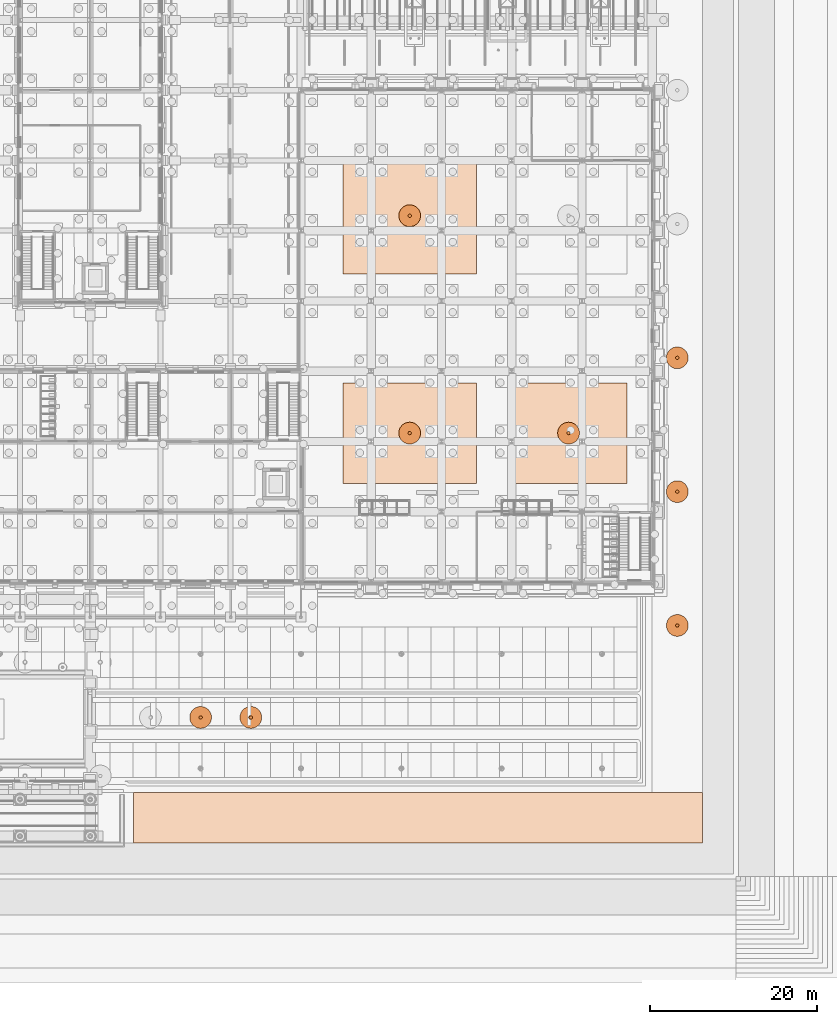
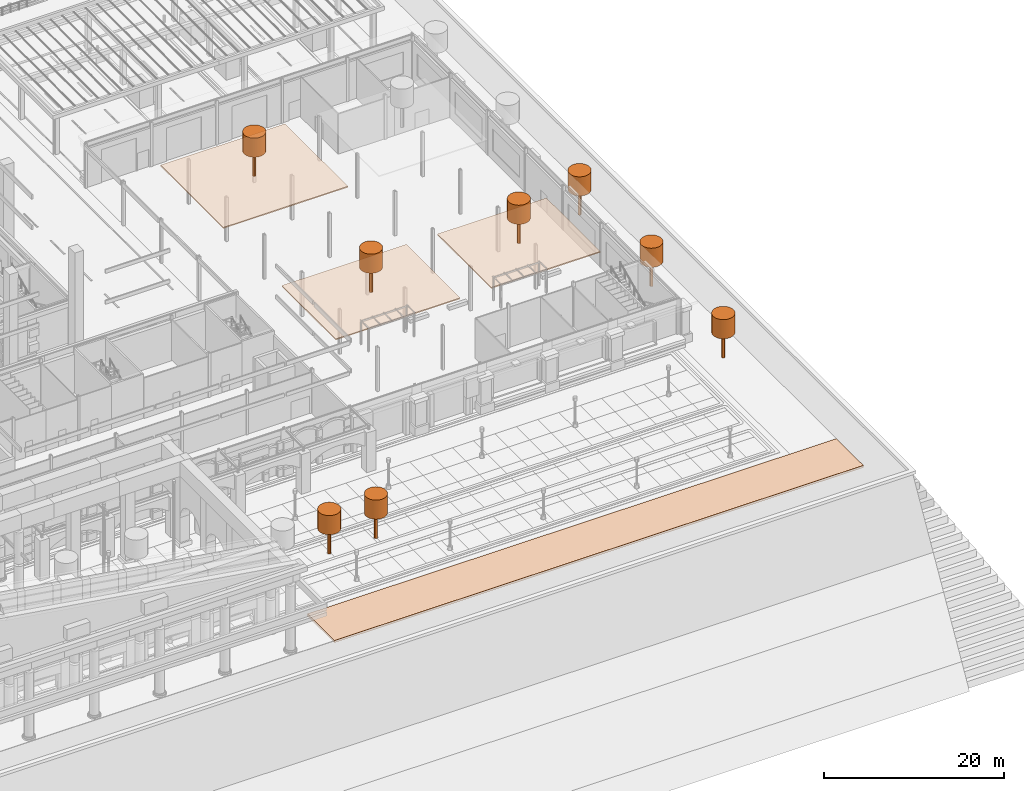
# One storey, part 221 of 222: 20 geographic elements.
"""IFC4 building model written with IfcOpenShell, lengths in metres."""

from ifc_helpers import new_model, si_unit, direction, frame, origin, origin_2d, place, context, subcontext, project, spatial, polyline, circle, outline, extrude, material, type_object, element, save


model = new_model("IFC4")

# Units and contexts
model_context = context("Model", 3, precision=1e-05, world=origin(), true_north=direction((0.0, 1.0)))
body_context = subcontext(model_context, "Body", "Model", "MODEL_VIEW")
ifc_project = project(units=[si_unit("LENGTHUNIT", "METRE"), si_unit("AREAUNIT", "SQUARE_METRE"), si_unit("VOLUMEUNIT", "CUBIC_METRE"), si_unit("PLANEANGLEUNIT", "RADIAN"), si_unit("MASSUNIT", "GRAM", prefix="KILO")], contexts=[model_context])

# Site, building, storey
site_placement = place(None, origin())
site = spatial("IfcSite", under=ifc_project, at=site_placement, CompositionType="ELEMENT")
building_placement = place(site_placement, origin())
building = spatial("IfcBuilding", under=site, at=building_placement, Name="Sava Quay Ferry Terminal", CompositionType="ELEMENT")
storey_placement = place(building_placement, origin())
storey = spatial("IfcBuildingStorey", under=building, at=storey_placement, Name="L00", CompositionType="ELEMENT", Elevation=0.0)

# Geographic elements
ifc_material_1 = material(Name="Turf and topsoil")
geographic_element_type_1 = type_object("IfcGeographicElementType", Name="Lawn bed 150", PredefinedType="TERRAIN", material=ifc_material_1)
geographic_element_1_placement = place(storey_placement, frame((0.0, 0.0, 6.0)))
element("IfcGeographicElement", 1, at=geographic_element_1_placement, inside=storey, type_object=geographic_element_type_1, Name="Roof garden planting bed", PredefinedType="TERRAIN", context=body_context, shape_type="SweptSolid", body=[
    extrude(outline(polyline([(147.0, 37.0), (147.0, 49.0), (131.0, 49.0), (131.0, 37.0), (147.0, 37.0)])), origin(), (0.0, 0.0, 1.0), 0.14990234375),
])
geographic_element_2_placement = place(storey_placement, frame((0.0, 0.0, 6.0)))
element("IfcGeographicElement", 2, at=geographic_element_2_placement, inside=storey, type_object=geographic_element_type_1, Name="Roof garden planting bed", PredefinedType="TERRAIN", context=body_context, shape_type="SweptSolid", body=[
    extrude(outline(polyline([(165.0, 37.0), (165.0, 49.0), (151.0, 49.0), (151.0, 37.0), (165.0, 37.0)])), origin(), (0.0, 0.0, 1.0), 0.14990234375),
])
geographic_element_3_placement = place(storey_placement, frame((0.0, 0.0, 6.0)))
element("IfcGeographicElement", 3, at=geographic_element_3_placement, inside=storey, type_object=geographic_element_type_1, Name="Roof garden planting bed", PredefinedType="TERRAIN", context=body_context, shape_type="SweptSolid", body=[
    extrude(outline(polyline([(147.0, 62.0), (147.0, 76.0), (131.0, 76.0), (131.0, 62.0), (147.0, 62.0)])), origin(), (0.0, 0.0, 1.0), 0.14990234375),
])
ifc_material_2 = material(Name="Turf and topsoil")
geographic_element_type_2 = type_object("IfcGeographicElementType", Name="Lawn terrain 300", PredefinedType="TERRAIN", material=ifc_material_2)
geographic_element_4_placement = place(storey_placement, frame((0.0, 0.0, -0.300048828125)))
element("IfcGeographicElement", 4, at=geographic_element_4_placement, inside=storey, type_object=geographic_element_type_2, Name="Quay lawn south of the quay deck", PredefinedType="TERRAIN", context=body_context, shape_type="SweptSolid", body=[
    extrude(outline(polyline([(174.0, 0.0), (174.0, -6.0), (106.0, -6.0), (106.0, 0.0), (174.0, 0.0)])), origin(), (0.0, 0.0, 1.0), 0.300048828125),
])
ifc_material_3 = material(Name="Foliage")
geographic_element_type_3 = type_object("IfcGeographicElementType", Name="Tree crown D2600", PredefinedType="USERDEFINED", material=ifc_material_3)
for number, where, z_axis, x_axis, name in (
    (5, (114.0, 9.0, 6.0), (0.0, 0.0, -1.0), (1.0, 0.0, 0.0), "Tree crown"),
    (6, (120.0, 9.0, 6.0), (0.0, 0.0, -1.0), (1.0, 0.0, 0.0), "Tree crown"),
    (7, (171.0, 20.0, 6.0), (0.0, 0.0, -1.0), (1.0, 0.0, 0.0), "Tree crown"),
    (8, (171.0, 36.0, 6.0), (0.0, 0.0, -1.0), (1.0, 0.0, 0.0), "Tree crown"),
    (9, (171.0, 52.0, 6.0), (0.0, 0.0, -1.0), (1.0, 0.0, 0.0), "Tree crown"),
    (10, (139.0, 43.0, 12.14990234375), (0.0, 0.0, -1.0), (1.0, 0.0, 0.0), "Tree crown"),
    (11, (158.0, 43.0, 12.14990234375), (0.0, 0.0, -1.0), (1.0, 0.0, 0.0), "Tree crown"),
    (12, (139.0, 69.0, 12.14990234375), (0.0, 0.0, -1.0), (1.0, 0.0, 0.0), "Tree crown"),
):
    element("IfcGeographicElement", number, at=place(storey_placement, frame(where, z_axis=z_axis, x_axis=x_axis)), inside=storey, type_object=geographic_element_type_3, Name=name, ObjectType="TREE CROWN", PredefinedType="USERDEFINED", context=body_context, shape_type="SweptSolid", body=[
        extrude(circle(Radius=1.300048828125, at=origin_2d()), origin(), (0.0, 0.0, 1.0), 2.60009765625),
    ])
ifc_material_4 = material(Name="Timber", Category="wood")
geographic_element_type_4 = type_object("IfcGeographicElementType", Name="Tree trunk D400", PredefinedType="USERDEFINED", material=ifc_material_4)
for number, where, z_axis, x_axis, name in (
    (13, (114.0, 9.0, 3.39990234375), (0.0, 0.0, -1.0), (1.0, 0.0, 0.0), "Tree trunk"),
    (14, (120.0, 9.0, 3.39990234375), (0.0, 0.0, -1.0), (1.0, 0.0, 0.0), "Tree trunk"),
    (15, (171.0, 20.0, 3.39990234375), (0.0, 0.0, -1.0), (1.0, 0.0, 0.0), "Tree trunk"),
    (16, (171.0, 36.0, 3.39990234375), (0.0, 0.0, -1.0), (1.0, 0.0, 0.0), "Tree trunk"),
    (17, (171.0, 52.0, 3.39990234375), (0.0, 0.0, -1.0), (1.0, 0.0, 0.0), "Tree trunk"),
    (18, (139.0, 43.0, 9.550048828125), (0.0, 0.0, -1.0), (1.0, 0.0, 0.0), "Tree trunk"),
    (19, (158.0, 43.0, 9.550048828125), (0.0, 0.0, -1.0), (1.0, 0.0, 0.0), "Tree trunk"),
    (20, (139.0, 69.0, 9.550048828125), (0.0, 0.0, -1.0), (1.0, 0.0, 0.0), "Tree trunk"),
):
    element("IfcGeographicElement", number, at=place(storey_placement, frame(where, z_axis=z_axis, x_axis=x_axis)), inside=storey, type_object=geographic_element_type_4, Name=name, ObjectType="TREE TRUNK", PredefinedType="USERDEFINED", context=body_context, shape_type="SweptSolid", body=[
        extrude(circle(Radius=0.199951171875, at=origin_2d()), origin(), (0.0, 0.0, 1.0), 3.39990234375),
    ])

save(model, "model.ifc")
